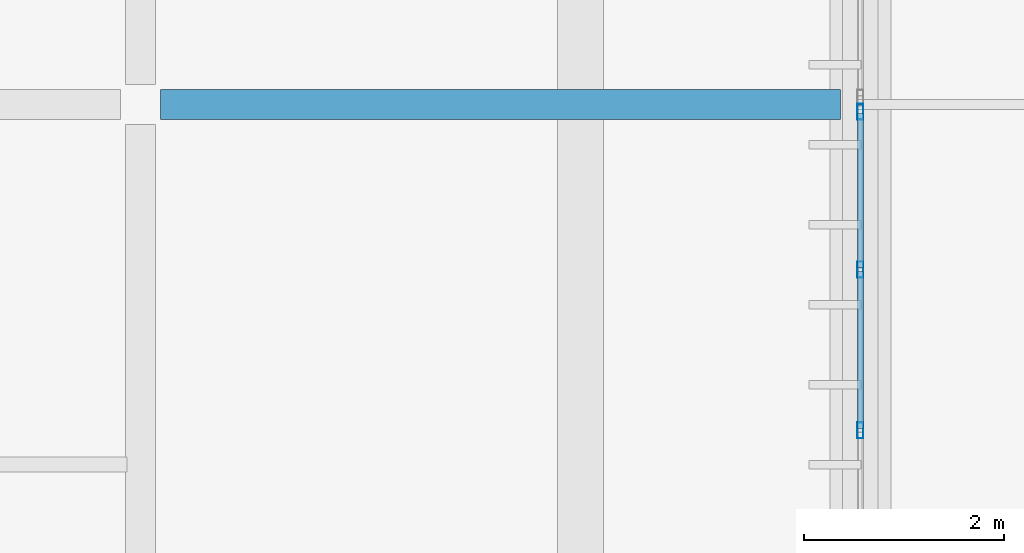
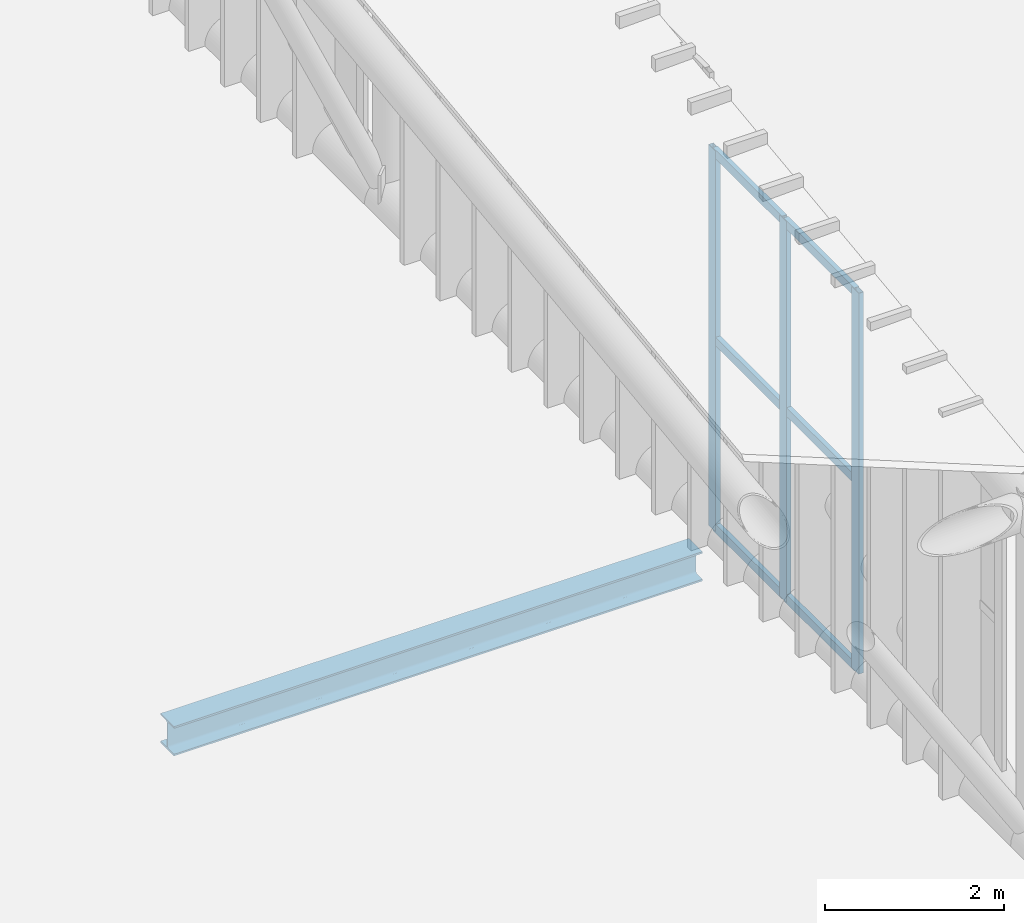
# One storey, part 47 of 397: 9 members, 1 beam, 1 element without a shape of its own.
"""IFC4 building model written with IfcOpenShell, lengths in metres."""

from ifc_helpers import new_model, si_unit, direction, frame, origin, origin_2d, place, context, subcontext, project, spatial, hollow_rectangle, i_section, extrude, material, material_profile, profile_set, type_object, element, aggregate, save


model = new_model("IFC4")

# Units and contexts
model_context = context("Model", 3, precision=1e-05, world=origin(), true_north=direction((0.0, 1.0)))
body_context = subcontext(model_context, "Body", "Model", "MODEL_VIEW")
ifc_project = project(units=[si_unit("LENGTHUNIT", "METRE"), si_unit("AREAUNIT", "SQUARE_METRE"), si_unit("VOLUMEUNIT", "CUBIC_METRE"), si_unit("PLANEANGLEUNIT", "RADIAN"), si_unit("MASSUNIT", "GRAM", prefix="KILO")], contexts=[model_context])

# Site, building, storey
site_placement = place(None, origin())
site = spatial("IfcSite", under=ifc_project, at=site_placement, CompositionType="ELEMENT")
building_placement = place(site_placement, origin())
building = spatial("IfcBuilding", under=site, at=building_placement, Name="Qandorah Velis Arena", CompositionType="ELEMENT")
storey_placement = place(building_placement, frame((0.0, 0.0, 27.5)))
storey = spatial("IfcBuildingStorey", under=building, at=storey_placement, Name="RF", CompositionType="ELEMENT", Elevation=27.5)

# Curtain wall, members
ifc_material_1 = material(Name="Solar-control low-E double glazing", Category="glass")
curtain_wall_type = type_object("IfcCurtainWallType", Name="ARC-CW-SYS02", PredefinedType="USERDEFINED", material=ifc_material_1)
curtain_wall_placement = place(storey_placement, origin())
curtain_wall = element("IfcCurtainWall", 1, at=curtain_wall_placement, inside=storey, type_object=curtain_wall_type, Name="Unitised curtain wall CROWN-1-02S1", ObjectType="UNITISED CURTAIN WALL", PredefinedType="USERDEFINED")
ifc_material_2 = material(Name="Champagne-bronze anodized aluminium 6063-T6", Category="aluminium")
ifc_material_profile_1 = material_profile(ifc_material_2, hollow_rectangle(XDim=0.06005859375, YDim=0.159912109375, WallThickness=0.00341796875, at=origin_2d()), Name="ALU MULLION 60x160")
ifc_profile_set_1 = profile_set([ifc_material_profile_1], Name="Champagne-bronze anodized aluminium 6063-T6")
member_type_1 = type_object("IfcMemberType", Name="ARC-CWM-160", PredefinedType="MULLION", material=ifc_profile_set_1)
member_1_placement = place(storey_placement, frame((14.39990234375, 32.742431640625, -0.014892578125), z_axis=(0.0, 0.0, 1.0), x_axis=(-1.0, 0.0, 0.0)))
member_1 = element("IfcMember", 2, at=member_1_placement, type_object=member_type_1, Name="CW02 mullion 3", PredefinedType="MULLION", context=body_context, shape_type="SweptSolid", body=[
    extrude(hollow_rectangle(XDim=0.06005859375, YDim=0.159912109375, WallThickness=0.00341796875, at=origin_2d()), origin(), (0.0, 0.0, 1.0), 5.180908203125),
])
member_2_placement = place(storey_placement, frame((14.39990234375, 34.351318359375, -0.014892578125), z_axis=(0.0, 0.0, 1.0), x_axis=(-1.0, 0.0, 0.0)))
member_2 = element("IfcMember", 3, at=member_2_placement, type_object=member_type_1, Name="CW02 mullion 4", PredefinedType="MULLION", context=body_context, shape_type="SweptSolid", body=[
    extrude(hollow_rectangle(XDim=0.06005859375, YDim=0.159912109375, WallThickness=0.00341796875, at=origin_2d()), origin(), (0.0, 0.0, 1.0), 5.180908203125),
])
member_3_placement = place(storey_placement, frame((14.39990234375, 35.929931640625, -0.014892578125), z_axis=(0.0, 0.0, 1.0), x_axis=(-1.0, 0.0, 0.0)))
member_3 = element("IfcMember", 4, at=member_3_placement, type_object=member_type_1, Name="CW02 mullion 5", PredefinedType="MULLION", context=body_context, shape_type="SweptSolid", body=[
    extrude(hollow_rectangle(XDim=0.06005859375, YDim=0.159912109375, WallThickness=0.00341796875, at=origin_2d()), origin(), (0.0, 0.0, 1.0), 5.180908203125),
])
ifc_material_profile_2 = material_profile(ifc_material_2, hollow_rectangle(XDim=0.06005859375, YDim=0.1201171875, WallThickness=0.0029296875, at=origin_2d()), Name="ALU TRANSOM 60x120")
ifc_profile_set_2 = profile_set([ifc_material_profile_2], Name="Champagne-bronze anodized aluminium 6063-T6")
member_type_2 = type_object("IfcMemberType", Name="ARC-CWT-120", PredefinedType="USERDEFINED", material=ifc_profile_set_2)
member_4_placement = place(storey_placement, frame((14.39990234375, 32.760498046875, 0.030029296875), z_axis=(0.0, 1.0, 0.0), x_axis=(-1.0, 0.0, 0.0)))
member_4 = element("IfcMember", 5, at=member_4_placement, type_object=member_type_2, Name="CW02 transom 3.1", ObjectType="TRANSOM", PredefinedType="USERDEFINED", context=body_context, shape_type="SweptSolid", body=[
    extrude(hollow_rectangle(XDim=0.06005859375, YDim=0.1201171875, WallThickness=0.0029296875, at=origin_2d()), origin(), (0.0, 0.0, 1.0), 1.57275390625),
])
member_5_placement = place(storey_placement, frame((14.39990234375, 32.760498046875, 2.575439453125), z_axis=(0.0, 1.0, 0.0), x_axis=(-1.0, 0.0, 0.0)))
member_5 = element("IfcMember", 6, at=member_5_placement, type_object=member_type_2, Name="CW02 transom 3.2", ObjectType="TRANSOM", PredefinedType="USERDEFINED", context=body_context, shape_type="SweptSolid", body=[
    extrude(hollow_rectangle(XDim=0.06005859375, YDim=0.1201171875, WallThickness=0.0029296875, at=origin_2d()), origin(), (0.0, 0.0, 1.0), 1.57275390625),
])
member_6_placement = place(storey_placement, frame((14.39990234375, 32.760498046875, 5.12109375), z_axis=(0.0, 1.0, 0.0), x_axis=(-1.0, 0.0, 0.0)))
member_6 = element("IfcMember", 7, at=member_6_placement, type_object=member_type_2, Name="CW02 transom 3.3", ObjectType="TRANSOM", PredefinedType="USERDEFINED", context=body_context, shape_type="SweptSolid", body=[
    extrude(hollow_rectangle(XDim=0.06005859375, YDim=0.1201171875, WallThickness=0.0029296875, at=origin_2d()), origin(), (0.0, 0.0, 1.0), 1.57275390625),
])
member_7_placement = place(storey_placement, frame((14.39990234375, 34.369384765625, 0.030029296875), z_axis=(0.0, 1.0, 0.0), x_axis=(-1.0, 0.0, 0.0)))
member_7 = element("IfcMember", 8, at=member_7_placement, type_object=member_type_2, Name="CW02 transom 4.1", ObjectType="TRANSOM", PredefinedType="USERDEFINED", context=body_context, shape_type="SweptSolid", body=[
    extrude(hollow_rectangle(XDim=0.06005859375, YDim=0.1201171875, WallThickness=0.0029296875, at=origin_2d()), origin(), (0.0, 0.0, 1.0), 1.542724609375),
])
member_8_placement = place(storey_placement, frame((14.39990234375, 34.369384765625, 2.575439453125), z_axis=(0.0, 1.0, 0.0), x_axis=(-1.0, 0.0, 0.0)))
member_8 = element("IfcMember", 9, at=member_8_placement, type_object=member_type_2, Name="CW02 transom 4.2", ObjectType="TRANSOM", PredefinedType="USERDEFINED", context=body_context, shape_type="SweptSolid", body=[
    extrude(hollow_rectangle(XDim=0.06005859375, YDim=0.1201171875, WallThickness=0.0029296875, at=origin_2d()), origin(), (0.0, 0.0, 1.0), 1.542724609375),
])
member_9_placement = place(storey_placement, frame((14.39990234375, 34.369384765625, 5.12109375), z_axis=(0.0, 1.0, 0.0), x_axis=(-1.0, 0.0, 0.0)))
member_9 = element("IfcMember", 10, at=member_9_placement, type_object=member_type_2, Name="CW02 transom 4.3", ObjectType="TRANSOM", PredefinedType="USERDEFINED", context=body_context, shape_type="SweptSolid", body=[
    extrude(hollow_rectangle(XDim=0.06005859375, YDim=0.1201171875, WallThickness=0.0029296875, at=origin_2d()), origin(), (0.0, 0.0, 1.0), 1.542724609375),
])
aggregate(curtain_wall, [member_1, member_2, member_3, member_4, member_5, member_6, member_7, member_8, member_9])

# Beam
ifc_material_3 = material(Name="Steel S355", Category="steel")
ifc_material_profile_3 = material_profile(ifc_material_3, i_section(OverallWidth=0.300048828125, OverallDepth=0.39990234375, WebThickness=0.013427734375, FlangeThickness=0.02392578125, FilletRadius=0.027099609375, at=origin_2d()), Name="HEB 400")
ifc_profile_set_3 = profile_set([ifc_material_profile_3], Name="Steel S355")
beam_type = type_object("IfcBeamType", Name="STR-BM-HEB400", PredefinedType="BEAM", material=ifc_profile_set_3)
beam_placement = place(storey_placement, frame((7.39990234375, 36.0, -0.419921875), z_axis=(1.0, 0.0, 0.0), x_axis=(0.0, 1.0, 0.0)))
element("IfcBeam", 11, at=beam_placement, inside=storey, type_object=beam_type, Name="Primary floor girder RF X-024", PredefinedType="BEAM", context=body_context, shape_type="SweptSolid", body=[
    extrude(i_section(OverallWidth=0.300048828125, OverallDepth=0.39990234375, WebThickness=0.013427734375, FlangeThickness=0.02392578125, FilletRadius=0.027099609375, at=origin_2d()), origin(), (0.0, 0.0, 1.0), 6.800048828125),
])

save(model, "model.ifc")
